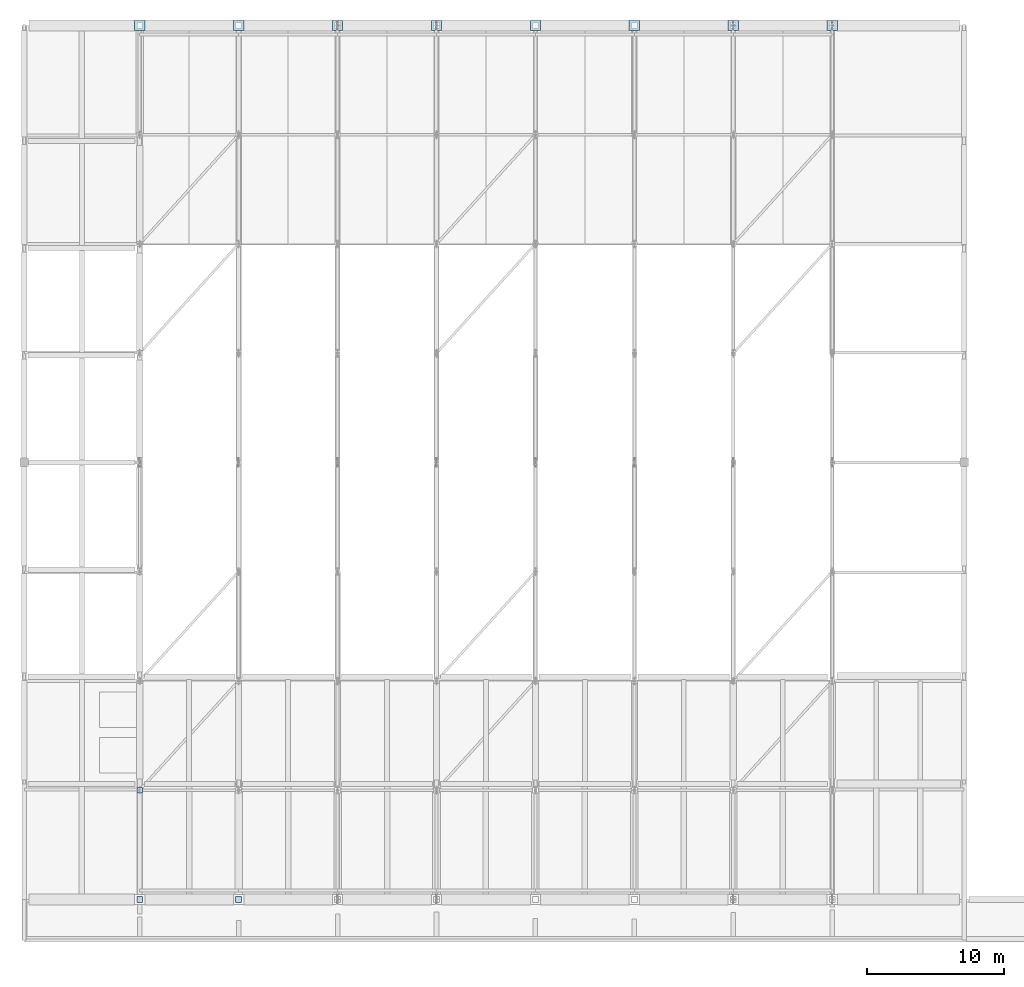
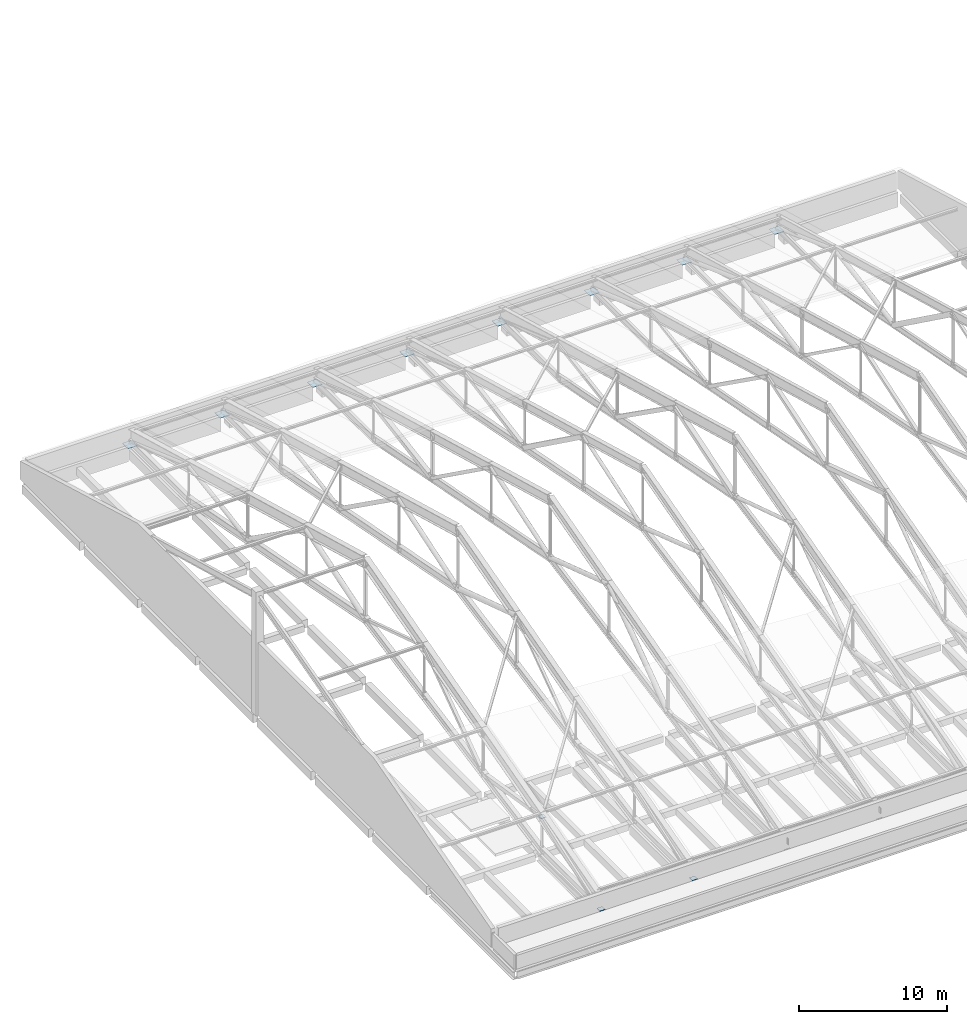
# One storey, part 42 of 53: 11 plates.
"""IFC4 building model written with IfcOpenShell, lengths in metres."""

from ifc_helpers import new_model, si_unit, direction, frame, origin, origin_2d, place, context, subcontext, project, spatial, rectangle, extrude, material, layer, layer_set, type_object, element, save


model = new_model("IFC4")

# Units and contexts
model_context = context("Model", 3, precision=1e-05, world=origin(), true_north=direction((0.0, 1.0)))
body_context = subcontext(model_context, "Body", "Model", "MODEL_VIEW")
ifc_project = project(units=[si_unit("LENGTHUNIT", "METRE"), si_unit("AREAUNIT", "SQUARE_METRE"), si_unit("VOLUMEUNIT", "CUBIC_METRE"), si_unit("PLANEANGLEUNIT", "RADIAN"), si_unit("MASSUNIT", "GRAM", prefix="KILO")], contexts=[model_context])

# Site, building, storey
site_placement = place(None, origin())
site = spatial("IfcSite", under=ifc_project, at=site_placement, CompositionType="ELEMENT")
building_placement = place(site_placement, origin())
building = spatial("IfcBuilding", under=site, at=building_placement, Name="Pellamere Symphony Hall", CompositionType="ELEMENT")
storey_placement = place(building_placement, frame((0.0, 0.0, 24.0)))
storey = spatial("IfcBuildingStorey", under=building, at=storey_placement, Name="L05", CompositionType="ELEMENT", Elevation=24.0)

# Plates
ifc_material = material(Name="Steel CSA G40.21 350W", Category="steel")
ifc_layer_1 = layer(ifc_material, 0.02490234375, Name="Steel CSA G40.21 350W")
ifc_layer_set_1 = layer_set([ifc_layer_1], Name="Steel CSA G40.21 350W")
plate_type_1 = type_object("IfcPlateType", Name="Steel Connection Plate KP-01 420x420x25", PredefinedType="SHEET", material=ifc_layer_set_1)
for number, where, z_axis, x_axis, name in (
    (1, (58.800048828125, 30.0, 0.1474609375), (0.0, 0.0, 1.0), (1.0, 0.0, 0.0), "Roof Truss Node End Cap Plate KN1 001"),
    (2, (58.800048828125, 37.949951171875, 2.95654296875), (0.0, 0.0, 1.0), (1.0, 0.0, 0.0), "Roof Truss Node End Cap Plate KN1 002"),
    (3, (66.0, 30.0, 0.1474609375), (0.0, 0.0, 1.0), (1.0, 0.0, 0.0), "Roof Truss Node End Cap Plate KN1 019"),
):
    element("IfcPlate", number, at=place(storey_placement, frame(where, z_axis=z_axis, x_axis=x_axis)), inside=storey, type_object=plate_type_1, Name=name, PredefinedType="SHEET", context=body_context, shape_type="SweptSolid", body=[
        extrude(rectangle(XDim=0.419921875, YDim=0.419921875, at=origin_2d()), origin(), (0.0, 0.0, 1.0), 0.02490234375),
    ])
ifc_layer_2 = layer(ifc_material, 0.031982421875, Name="Steel CSA G40.21 350W")
ifc_layer_set_2 = layer_set([ifc_layer_2], Name="Steel CSA G40.21 350W")
plate_type_2 = type_object("IfcPlateType", Name="Steel Connection Plate KP-05 750x750x32", PredefinedType="SHEET", material=ifc_layer_set_2)
for number, where, z_axis, x_axis, name in (
    (4, (58.800048828125, 93.60009765625, -0.15576171875), (0.0, 0.0, 1.0), (1.0, 0.0, 0.0), "Roof Truss Bearing Seat Plate TR-01"),
    (5, (66.0, 93.60009765625, -0.15576171875), (0.0, 0.0, 1.0), (1.0, 0.0, 0.0), "Roof Truss Bearing Seat Plate TR-02"),
    (6, (73.199951171875, 93.60009765625, -0.15576171875), (0.0, 0.0, 1.0), (1.0, 0.0, 0.0), "Roof Truss Bearing Seat Plate TR-03"),
    (7, (80.39990234375, 93.60009765625, -0.15576171875), (0.0, 0.0, 1.0), (1.0, 0.0, 0.0), "Roof Truss Bearing Seat Plate TR-04"),
    (8, (87.60009765625, 93.60009765625, -0.15576171875), (0.0, 0.0, 1.0), (1.0, 0.0, 0.0), "Roof Truss Bearing Seat Plate TR-05"),
    (9, (94.800048828125, 93.60009765625, -0.15576171875), (0.0, 0.0, 1.0), (1.0, 0.0, 0.0), "Roof Truss Bearing Seat Plate TR-06"),
    (10, (102.0, 93.60009765625, -0.15576171875), (0.0, 0.0, 1.0), (1.0, 0.0, 0.0), "Roof Truss Bearing Seat Plate TR-07"),
    (11, (109.199951171875, 93.60009765625, -0.15576171875), (0.0, 0.0, 1.0), (1.0, 0.0, 0.0), "Roof Truss Bearing Seat Plate TR-08"),
):
    element("IfcPlate", number, at=place(storey_placement, frame(where, z_axis=z_axis, x_axis=x_axis)), inside=storey, type_object=plate_type_2, Name=name, PredefinedType="SHEET", context=body_context, shape_type="SweptSolid", body=[
        extrude(rectangle(XDim=0.75, YDim=0.75, at=origin_2d()), origin(), (0.0, 0.0, 1.0), 0.031982421875),
    ])

save(model, "model.ifc")
